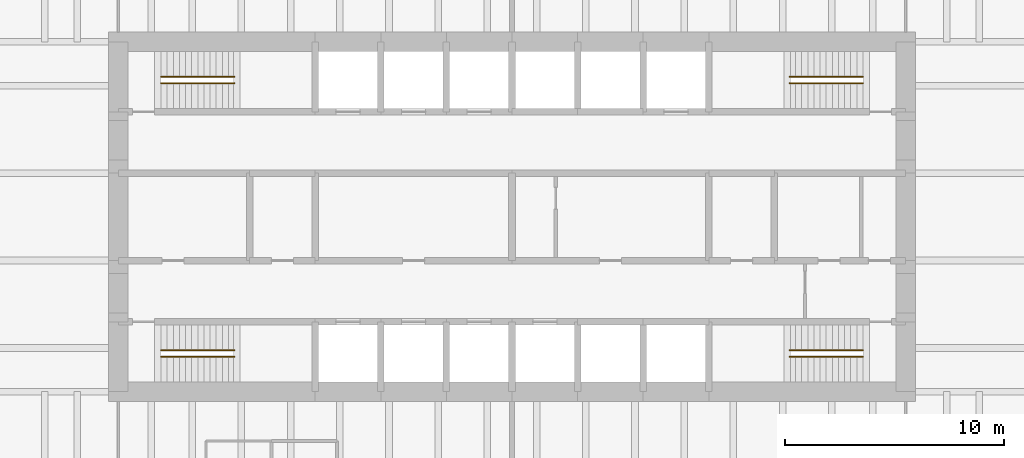
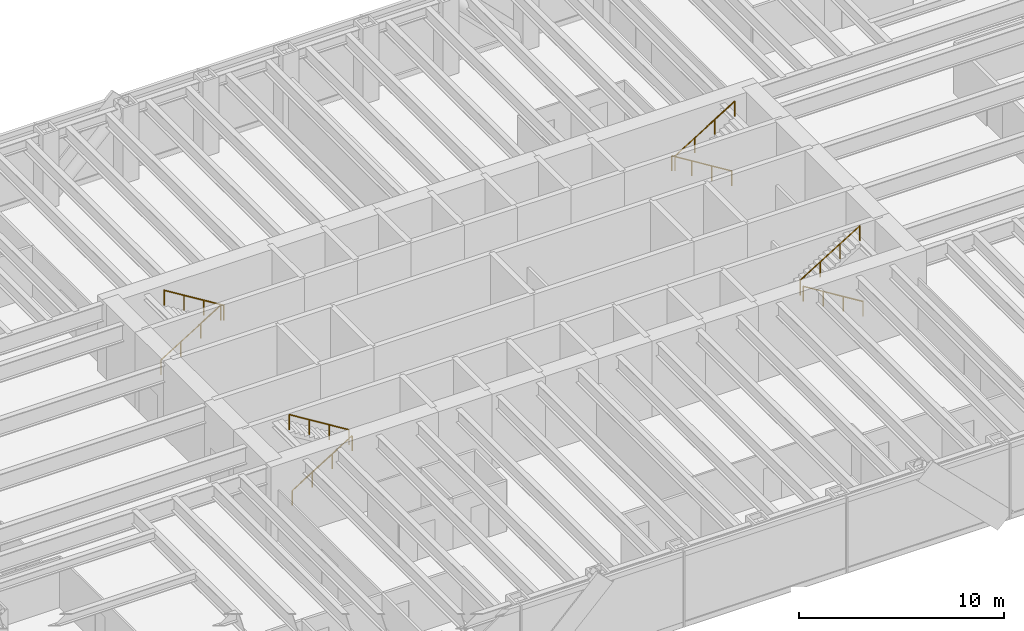
# One storey, part 13 of 13: 8 railings.
"""IFC4 building model written with IfcOpenShell, lengths in metres."""

from ifc_helpers import new_model, si_unit, direction, frame, origin, origin_2d, place, context, subcontext, project, spatial, circle, extrude, material, type_object, element, save


model = new_model("IFC4")

# Units and contexts
model_context = context("Model", 3, precision=1e-05, world=origin(), true_north=direction((0.0, 1.0)))
body_context = subcontext(model_context, "Body", "Model", "MODEL_VIEW")
ifc_project = project(units=[si_unit("LENGTHUNIT", "METRE"), si_unit("AREAUNIT", "SQUARE_METRE"), si_unit("VOLUMEUNIT", "CUBIC_METRE"), si_unit("PLANEANGLEUNIT", "RADIAN"), si_unit("MASSUNIT", "GRAM", prefix="KILO")], contexts=[model_context])

# Site, building, storey
site_placement = place(None, origin())
site = spatial("IfcSite", under=ifc_project, at=site_placement, CompositionType="ELEMENT")
building_placement = place(site_placement, origin())
building = spatial("IfcBuilding", under=site, at=building_placement, Name="Rheinbord Bourse Tower", CompositionType="ELEMENT")
storey_placement = place(building_placement, frame((0.0, 0.0, 50.0)))
storey = spatial("IfcBuildingStorey", under=building, at=storey_placement, Name="L10", CompositionType="ELEMENT", Elevation=50.0)

# Railings
ifc_material = material(Name="Steel handrail", Category="steel")
railing_type = type_object("IfcRailingType", Name="HANDRAIL 900", PredefinedType="HANDRAIL", material=ifc_material)
railing_1_placement = place(storey_placement, frame((19.949951171875, 17.60009765625, 0.173095703125)))
element("IfcRailing", 1, at=railing_1_placement, inside=storey, type_object=railing_type, Name="Handrail", PredefinedType="HANDRAIL", context=body_context, shape_type="SweptSolid", body=[
    extrude(circle(Radius=0.02392578125, at=origin_2d()), frame((0.0, 0.0, 0.8759765625), z_axis=(0.850623216509, 0.0, 0.525775754039), x_axis=(0.0, 1.0, 0.0)), (0.0, 0.0, 1.0), 3.9501953125),
    extrude(circle(Radius=0.02099609375, at=origin_2d()), origin(), (0.0, 0.0, 1.0), 0.851806640625),
    extrude(circle(Radius=0.02099609375, at=origin_2d()), frame((1.1201171875, 0.0, 0.6923828125)), (0.0, 0.0, 1.0), 0.851806640625),
    extrude(circle(Radius=0.02099609375, at=origin_2d()), frame((2.239990234375, 0.0, 1.384521484375)), (0.0, 0.0, 1.0), 0.851806640625),
    extrude(circle(Radius=0.02099609375, at=origin_2d()), frame((3.360107421875, 0.0, 2.076904296875)), (0.0, 0.0, 1.0), 0.851806640625),
])
railing_2_placement = place(storey_placement, frame((23.31005859375, 17.89990234375, 2.423095703125)))
element("IfcRailing", 2, at=railing_2_placement, inside=storey, type_object=railing_type, Name="Handrail", PredefinedType="HANDRAIL", context=body_context, shape_type="SweptSolid", body=[
    extrude(circle(Radius=0.02392578125, at=origin_2d()), frame((0.0, 0.0, 0.8759765625), z_axis=(-0.850623216509, 0.0, 0.525775754039), x_axis=(0.0, -1.0, 0.0)), (0.0, 0.0, 1.0), 3.9501953125),
    extrude(circle(Radius=0.02099609375, at=origin_2d()), origin(), (0.0, 0.0, 1.0), 0.851806640625),
    extrude(circle(Radius=0.02099609375, at=origin_2d()), frame((-1.1201171875, 0.0, 0.6923828125)), (0.0, 0.0, 1.0), 0.851806640625),
    extrude(circle(Radius=0.02099609375, at=origin_2d()), frame((-2.239990234375, 0.0, 1.384521484375)), (0.0, 0.0, 1.0), 0.851806640625),
    extrude(circle(Radius=0.02099609375, at=origin_2d()), frame((-3.360107421875, 0.0, 2.076904296875)), (0.0, 0.0, 1.0), 0.851806640625),
])
railing_3_placement = place(storey_placement, frame((19.949951171875, 30.39990234375, 0.173095703125)))
element("IfcRailing", 3, at=railing_3_placement, inside=storey, type_object=railing_type, Name="Handrail", PredefinedType="HANDRAIL", context=body_context, shape_type="SweptSolid", body=[
    extrude(circle(Radius=0.02392578125, at=origin_2d()), frame((0.0, 0.0, 0.8759765625), z_axis=(0.850623216509, 0.0, 0.525775754039), x_axis=(0.0, 1.0, 0.0)), (0.0, 0.0, 1.0), 3.9501953125),
    extrude(circle(Radius=0.02099609375, at=origin_2d()), origin(), (0.0, 0.0, 1.0), 0.851806640625),
    extrude(circle(Radius=0.02099609375, at=origin_2d()), frame((1.1201171875, 0.0, 0.6923828125)), (0.0, 0.0, 1.0), 0.851806640625),
    extrude(circle(Radius=0.02099609375, at=origin_2d()), frame((2.239990234375, 0.0, 1.384521484375)), (0.0, 0.0, 1.0), 0.851806640625),
    extrude(circle(Radius=0.02099609375, at=origin_2d()), frame((3.360107421875, 0.0, 2.076904296875)), (0.0, 0.0, 1.0), 0.851806640625),
])
for number, where, name in (
    (4, (23.31005859375, 30.10009765625, 2.423095703125), "Handrail"),
    (5, (52.050048828125, 17.60009765625, 0.173095703125), "Handrail"),
):
    element("IfcRailing", number, at=place(storey_placement, frame(where)), inside=storey, type_object=railing_type, Name=name, PredefinedType="HANDRAIL", context=body_context, shape_type="SweptSolid", body=[
        extrude(circle(Radius=0.02392578125, at=origin_2d()), frame((0.0, 0.0, 0.8759765625), z_axis=(-0.850623216509, 0.0, 0.525775754039), x_axis=(0.0, -1.0, 0.0)), (0.0, 0.0, 1.0), 3.9501953125),
        extrude(circle(Radius=0.02099609375, at=origin_2d()), origin(), (0.0, 0.0, 1.0), 0.851806640625),
        extrude(circle(Radius=0.02099609375, at=origin_2d()), frame((-1.1201171875, 0.0, 0.6923828125)), (0.0, 0.0, 1.0), 0.851806640625),
        extrude(circle(Radius=0.02099609375, at=origin_2d()), frame((-2.239990234375, 0.0, 1.384521484375)), (0.0, 0.0, 1.0), 0.851806640625),
        extrude(circle(Radius=0.02099609375, at=origin_2d()), frame((-3.360107421875, 0.0, 2.076904296875)), (0.0, 0.0, 1.0), 0.851806640625),
    ])
railing_4_placement = place(storey_placement, frame((48.68994140625, 17.89990234375, 2.423095703125)))
element("IfcRailing", 6, at=railing_4_placement, inside=storey, type_object=railing_type, Name="Handrail", PredefinedType="HANDRAIL", context=body_context, shape_type="SweptSolid", body=[
    extrude(circle(Radius=0.02392578125, at=origin_2d()), frame((0.0, 0.0, 0.8759765625), z_axis=(0.850623216509, 0.0, 0.525775754039), x_axis=(0.0, 1.0, 0.0)), (0.0, 0.0, 1.0), 3.9501953125),
    extrude(circle(Radius=0.02099609375, at=origin_2d()), origin(), (0.0, 0.0, 1.0), 0.851806640625),
    extrude(circle(Radius=0.02099609375, at=origin_2d()), frame((1.1201171875, 0.0, 0.6923828125)), (0.0, 0.0, 1.0), 0.851806640625),
    extrude(circle(Radius=0.02099609375, at=origin_2d()), frame((2.239990234375, 0.0, 1.384521484375)), (0.0, 0.0, 1.0), 0.851806640625),
    extrude(circle(Radius=0.02099609375, at=origin_2d()), frame((3.360107421875, 0.0, 2.076904296875)), (0.0, 0.0, 1.0), 0.851806640625),
])
railing_5_placement = place(storey_placement, frame((52.050048828125, 30.39990234375, 0.173095703125)))
element("IfcRailing", 7, at=railing_5_placement, inside=storey, type_object=railing_type, Name="Handrail", PredefinedType="HANDRAIL", context=body_context, shape_type="SweptSolid", body=[
    extrude(circle(Radius=0.02392578125, at=origin_2d()), frame((0.0, 0.0, 0.8759765625), z_axis=(-0.850623216509, 0.0, 0.525775754039), x_axis=(0.0, -1.0, 0.0)), (0.0, 0.0, 1.0), 3.9501953125),
    extrude(circle(Radius=0.02099609375, at=origin_2d()), origin(), (0.0, 0.0, 1.0), 0.851806640625),
    extrude(circle(Radius=0.02099609375, at=origin_2d()), frame((-1.1201171875, 0.0, 0.6923828125)), (0.0, 0.0, 1.0), 0.851806640625),
    extrude(circle(Radius=0.02099609375, at=origin_2d()), frame((-2.239990234375, 0.0, 1.384521484375)), (0.0, 0.0, 1.0), 0.851806640625),
    extrude(circle(Radius=0.02099609375, at=origin_2d()), frame((-3.360107421875, 0.0, 2.076904296875)), (0.0, 0.0, 1.0), 0.851806640625),
])
railing_6_placement = place(storey_placement, frame((48.68994140625, 30.10009765625, 2.423095703125)))
element("IfcRailing", 8, at=railing_6_placement, inside=storey, type_object=railing_type, Name="Handrail", PredefinedType="HANDRAIL", context=body_context, shape_type="SweptSolid", body=[
    extrude(circle(Radius=0.02392578125, at=origin_2d()), frame((0.0, 0.0, 0.8759765625), z_axis=(0.850623216509, 0.0, 0.525775754039), x_axis=(0.0, 1.0, 0.0)), (0.0, 0.0, 1.0), 3.9501953125),
    extrude(circle(Radius=0.02099609375, at=origin_2d()), origin(), (0.0, 0.0, 1.0), 0.851806640625),
    extrude(circle(Radius=0.02099609375, at=origin_2d()), frame((1.1201171875, 0.0, 0.6923828125)), (0.0, 0.0, 1.0), 0.851806640625),
    extrude(circle(Radius=0.02099609375, at=origin_2d()), frame((2.239990234375, 0.0, 1.384521484375)), (0.0, 0.0, 1.0), 0.851806640625),
    extrude(circle(Radius=0.02099609375, at=origin_2d()), frame((3.360107421875, 0.0, 2.076904296875)), (0.0, 0.0, 1.0), 0.851806640625),
])

save(model, "model.ifc")
